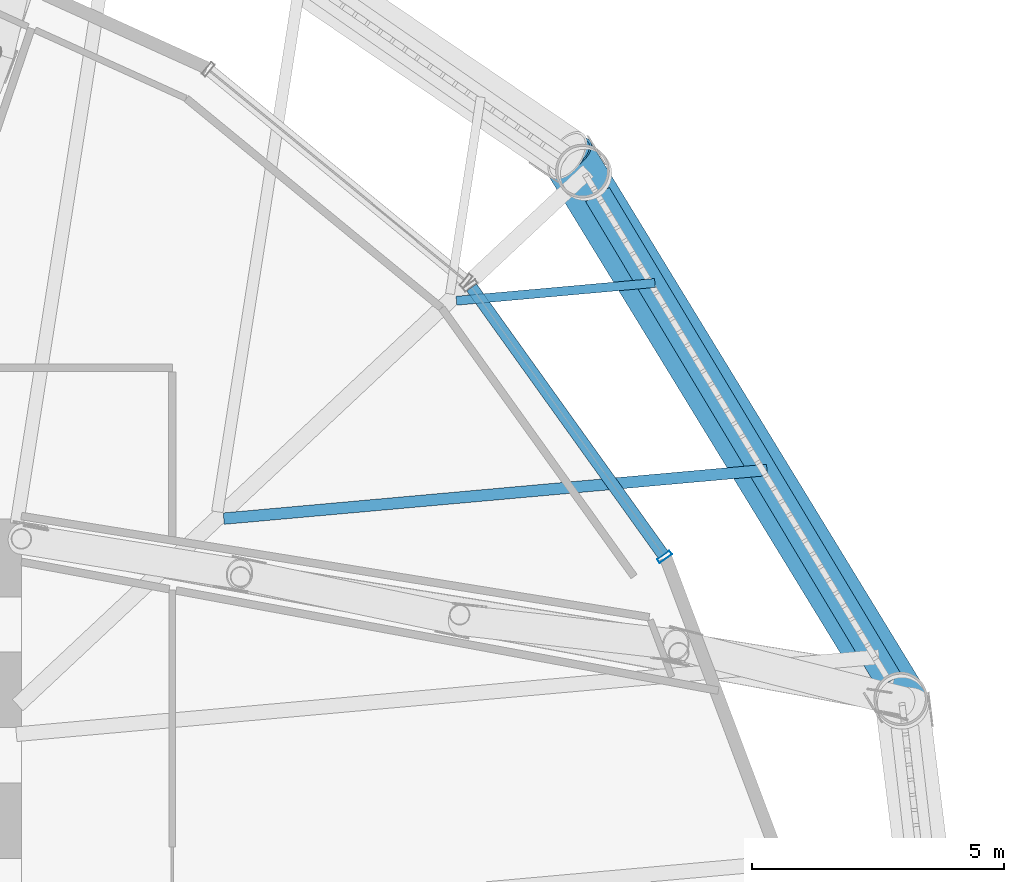
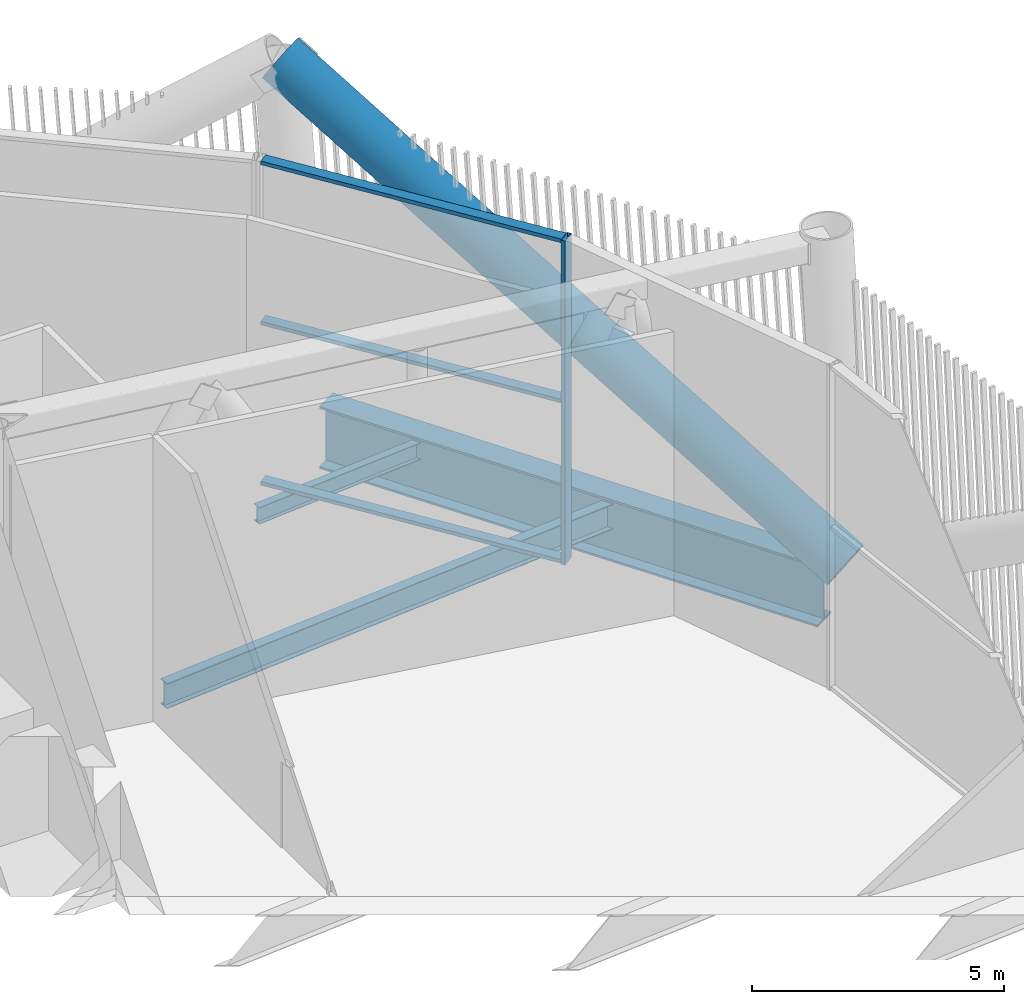
# One storey, part 27 of 55: 5 members, 3 beams, 1 element without a shape of its own.
"""IFC4 building model written with IfcOpenShell, lengths in metres."""

import ifcopenshell
import ifcopenshell.guid

model = None  # the IFC model being written
_history = None  # IfcOwnerHistory: only IFC2X3 demands one
_inside = {}  # id of a spatial element -> (the spatial element, [elements in it])
_under = {}  # id of a project, library or spatial element -> (it, [spatial elements below it])
_declared = {}  # id of a project -> (the project, [libraries it declares])
_typed = {}  # id of a type object -> (the type object, [elements of that type])
_made_of = {}  # id of a material, layer set ... -> (it, [elements and type objects made of it])


def new_model(schema):
    """Start an empty IFC model of exactly this schema.

    Asked for "IFC4X3", IfcOpenShell would pick the latest addendum, in which some entities
    have other attributes; the version numbers below select the first issue.
    IFC2X3 requires an IfcOwnerHistory on every rooted entity: one is made here for all.
    """
    global model, _history
    if schema == "IFC4X3":
        model = ifcopenshell.file(schema_version=(4, 3, 0, 0))
    else:
        model = ifcopenshell.file(schema=schema)
    _inside.clear()
    _under.clear()
    _declared.clear()
    _typed.clear()
    _made_of.clear()
    _history = None
    if model.schema == "IFC2X3":
        org = make("IfcOrganization", Name="unknown")
        user = make(
            "IfcPersonAndOrganization",
            ThePerson=make("IfcPerson", FamilyName="unknown"),
            TheOrganization=org,
        )
        app = make(
            "IfcApplication",
            ApplicationDeveloper=org,
            Version="unknown",
            ApplicationFullName="unknown",
            ApplicationIdentifier="unknown",
        )
        _history = make(
            "IfcOwnerHistory",
            OwningUser=user,
            OwningApplication=app,
            ChangeAction="ADDED",
            CreationDate=0,
        )
    return model


def make(cls, **values):
    """One entity of the class cls with the attributes given. An attribute that is None is left unset."""
    return model.create_entity(
        cls, **{name: value for name, value in values.items() if value is not None}
    )


def rooted(cls, **values):
    """An entity with a GlobalId (a new one), such as an element, a storey or a relation."""
    return make(cls, GlobalId=ifcopenshell.guid.new(), OwnerHistory=_history, **values)


def si_unit(unit_type, name, prefix=None):
    """IfcSIUnit, for example si_unit("LENGTHUNIT", "METRE", prefix="MILLI")."""
    return make("IfcSIUnit", UnitType=unit_type, Prefix=prefix, Name=name)


def assignment(units):
    """IfcUnitAssignment: the units of a project."""
    return None if units is None else make("IfcUnitAssignment", Units=units)


def point(xyz):
    """IfcCartesianPoint."""
    return None if xyz is None else make("IfcCartesianPoint", Coordinates=xyz)


def direction(xyz):
    """IfcDirection."""
    return None if xyz is None else make("IfcDirection", DirectionRatios=xyz)


def frame(location, z_axis=None, x_axis=None):
    """IfcAxis2Placement3D, a coordinate frame: its origin and axes. An axis left out is left unset."""
    return make(
        "IfcAxis2Placement3D",
        Location=point(location),
        Axis=direction(z_axis),
        RefDirection=direction(x_axis),
    )


def frame_2d(location, x_axis=None):
    """IfcAxis2Placement2D, a coordinate frame in the plane: its origin and x axis."""
    return make(
        "IfcAxis2Placement2D", Location=point(location), RefDirection=direction(x_axis)
    )


def origin():
    """The frame at (0, 0, 0) with its axes left unset."""
    return frame((0.0, 0.0, 0.0))


def origin_2d():
    """The frame at (0, 0) in the plane with its x axis left unset."""
    return frame_2d((0.0, 0.0))


def place(relative_to, where):
    """IfcLocalPlacement: puts the frame where relative to a parent placement (None: the world)."""
    return make(
        "IfcLocalPlacement", PlacementRelTo=relative_to, RelativePlacement=where
    )


def context(
    kind, dimensions, precision=None, world=None, true_north=None, identifier=None
):
    """IfcGeometricRepresentationContext, for example the 3D "Model" context."""
    return make(
        "IfcGeometricRepresentationContext",
        ContextIdentifier=identifier,
        ContextType=kind,
        CoordinateSpaceDimension=dimensions,
        Precision=precision,
        WorldCoordinateSystem=world,
        TrueNorth=true_north,
    )


def subcontext(parent, identifier, kind, view, scale=None):
    """IfcGeometricRepresentationSubContext, for example "Body" below "Model"."""
    return make(
        "IfcGeometricRepresentationSubContext",
        ContextIdentifier=identifier,
        ContextType=kind,
        ParentContext=parent,
        TargetScale=scale,
        TargetView=view,
    )


def project(units=None, contexts=None):
    """IfcProject with its units and contexts."""
    return rooted(
        "IfcProject",
        Name="project",
        RepresentationContexts=contexts,
        UnitsInContext=assignment(units),
    )


def spatial(cls, under=None, at=None, **own):
    """A site, building, storey or space (cls), placed at a placement, below another one or the project."""
    s = rooted(cls, ObjectPlacement=at, **own)
    if under is not None:
        _under.setdefault(under.id(), (under, []))[1].append(s)
    return s


def profile(cls, at=None, kind="AREA", **sizes):
    """A parametric profile (cls). Its sizes go by their IFC names, for example OverallWidth=200.0."""
    return make(cls, ProfileType=kind, Position=at, **sizes)


def hollow_rectangle(**sizes):
    """IfcRectangleHollowProfileDef."""
    return profile("IfcRectangleHollowProfileDef", **sizes)


def hollow_circle(**sizes):
    """IfcCircleHollowProfileDef."""
    return profile("IfcCircleHollowProfileDef", **sizes)


def i_section(**sizes):
    """IfcIShapeProfileDef."""
    return profile("IfcIShapeProfileDef", **sizes)


def extrude(swept, where, along, depth):
    """IfcExtrudedAreaSolid: the profile swept, set in the frame where, extruded along a direction by depth."""
    return make(
        "IfcExtrudedAreaSolid",
        SweptArea=swept,
        Position=where,
        ExtrudedDirection=direction(along),
        Depth=depth,
    )


def shape(context_of_items, identifier, shape_type, items):
    """IfcShapeRepresentation: the items that make up one representation, for example the "Body"."""
    return make(
        "IfcShapeRepresentation",
        ContextOfItems=context_of_items,
        RepresentationIdentifier=identifier,
        RepresentationType=shape_type,
        Items=items,
    )


def material(Name=None, Category=None):
    """IfcMaterial."""
    return make("IfcMaterial", Name=Name, Category=Category)


def layer(
    of_material, thickness, ventilated=None, Name=None, Category=None, Priority=None
):
    """IfcMaterialLayer: one layer of a wall or slab, of a material (None: an air gap)."""
    return make(
        "IfcMaterialLayer",
        Material=of_material,
        LayerThickness=thickness,
        IsVentilated=ventilated,
        Name=Name,
        Category=Category,
        Priority=Priority,
    )


def layer_set(layers, Name=None):
    """IfcMaterialLayerSet."""
    return make("IfcMaterialLayerSet", MaterialLayers=layers, LayerSetName=Name)


def material_profile(
    of_material, cross_section, Name=None, Category=None, Priority=None
):
    """IfcMaterialProfile: a cross section and its material."""
    return make(
        "IfcMaterialProfile",
        Name=Name,
        Material=of_material,
        Profile=cross_section,
        Priority=Priority,
        Category=Category,
    )


def profile_set(profiles, Name=None, composite=None):
    """IfcMaterialProfileSet."""
    return make(
        "IfcMaterialProfileSet",
        Name=Name,
        MaterialProfiles=profiles,
        CompositeProfile=composite,
    )


def made_of(thing, what):
    """Note that an element or type object is made of a material, layer set ...; save() writes the relation."""
    if what is not None:
        _made_of.setdefault(what.id(), (what, []))[1].append(thing)
    return thing


def type_object(cls, material=None, **own):
    """A type object (cls), such as IfcWallType, which elements share."""
    return made_of(rooted(cls, **own), material)


def element(
    cls,
    number,
    at=None,
    inside=None,
    cuts=None,
    type_object=None,
    material=None,
    context=None,
    identifier="Body",
    shape_type=None,
    held_by="IfcProductDefinitionShape",
    body=None,
    shapes=None,
    **own,
):
    """One element of the class cls, such as IfcWall. Its Tag is "e" and its number.

    at: its placement. inside: the storey or other place that contains it. cuts: it is an
    opening in that element (IfcRelVoidsElement). A single representation is given by context,
    identifier, shape_type and body (its items); several are given by shapes. held_by: the class
    of the entity that holds the representations. save() writes the other relations.
    """
    e = rooted(cls, Tag="e%d" % number, ObjectPlacement=at, **own)
    if body is not None:
        shapes = [shape(context, identifier, shape_type, body)]
    if shapes is not None:
        e.Representation = make(held_by, Representations=shapes)
    if inside is not None:
        _inside.setdefault(inside.id(), (inside, []))[1].append(e)
    if cuts is not None:
        rooted(
            "IfcRelVoidsElement", RelatingBuildingElement=cuts, RelatedOpeningElement=e
        )
    if type_object is not None:
        _typed.setdefault(type_object.id(), (type_object, []))[1].append(e)
    return made_of(e, material)


def aggregate(whole, parts):
    """IfcRelAggregates: a whole, such as a stair, and the parts it consists of."""
    return rooted("IfcRelAggregates", RelatingObject=whole, RelatedObjects=parts)


def save(model, path):
    """Write the relations noted so far, then the file.

    IfcRelAggregates (storeys below a building ...), IfcRelContainedInSpatialStructure (elements
    in a storey), IfcRelDefinesByType, IfcRelAssociatesMaterial and IfcRelDeclares: one each for
    every whole, place, type object, material and project.
    """
    for whole, parts in _under.values():
        aggregate(whole, parts)
    for where, things in _inside.values():
        rooted(
            "IfcRelContainedInSpatialStructure",
            RelatedElements=things,
            RelatingStructure=where,
        )
    for kind, things in _typed.values():
        rooted("IfcRelDefinesByType", RelatedObjects=things, RelatingType=kind)
    for what, things in _made_of.values():
        rooted("IfcRelAssociatesMaterial", RelatedObjects=things, RelatingMaterial=what)
    for by, libraries in _declared.values():
        rooted("IfcRelDeclares", RelatingContext=by, RelatedDefinitions=libraries)
    model.write(path)


model = new_model("IFC4")

# Units and contexts
model_context = context("Model", 3, precision=1e-05, world=origin(), true_north=direction((0.0, 1.0)))
body_context = subcontext(model_context, "Body", "Model", "MODEL_VIEW")
ifc_project = project(units=[si_unit("LENGTHUNIT", "METRE"), si_unit("AREAUNIT", "SQUARE_METRE"), si_unit("VOLUMEUNIT", "CUBIC_METRE"), si_unit("PLANEANGLEUNIT", "RADIAN"), si_unit("MASSUNIT", "GRAM", prefix="KILO")], contexts=[model_context])

# Site, building, storey
site_placement = place(None, origin())
site = spatial("IfcSite", under=ifc_project, at=site_placement, CompositionType="ELEMENT")
building_placement = place(site_placement, origin())
building = spatial("IfcBuilding", under=site, at=building_placement, Name="Tarsis Ring Headquarters", CompositionType="ELEMENT")
storey_placement = place(building_placement, frame((0.0, 0.0, 247.199951171875)))
storey = spatial("IfcBuildingStorey", under=building, at=storey_placement, Name="L58", CompositionType="ELEMENT", Elevation=247.199951171875)

# Curtain wall, members
ifc_material_1 = material(Name="Aluminium curtain wall", Category="aluminium")
ifc_layer = layer(ifc_material_1, 0.300048828125)
ifc_layer_set = layer_set([ifc_layer], Name="Curtain wall upper sky lobby")
curtain_wall_type = type_object("IfcCurtainWallType", Name="Curtain wall upper sky lobby", PredefinedType="NOTDEFINED", material=ifc_layer_set)
curtain_wall_placement = place(storey_placement, origin())
curtain_wall = element("IfcCurtainWall", 1, at=curtain_wall_placement, inside=storey, type_object=curtain_wall_type, Name="Curtain wall L58-23", PredefinedType="NOTDEFINED")
ifc_material_2 = material(Name="Aluminium mullion", Category="aluminium")
ifc_material_profile_1 = material_profile(ifc_material_2, hollow_rectangle(XDim=0.300048828125, YDim=0.090087890625, WallThickness=0.0048828125, at=origin_2d()), Name="RHS 300x90x5")
ifc_profile_set_1 = profile_set([ifc_material_profile_1], Name="Aluminium mullion")
member_type_1 = type_object("IfcMemberType", Name="Curtain wall mullion upper sky lobby RHS 300x90x5", PredefinedType="MULLION", material=ifc_profile_set_1)
member_1_placement = place(storey_placement, frame((22.783935546875, 12.244873046875, 0.0), z_axis=(0.0, 0.0, 1.0), x_axis=(-0.812897588573, -0.582406653888, 0.0)))
member_1 = element("IfcMember", 2, at=member_1_placement, type_object=member_type_1, Name="CW-U mullion 1", PredefinedType="MULLION", context=body_context, shape_type="SweptSolid", body=[
    extrude(hollow_rectangle(XDim=0.300048828125, YDim=0.090087890625, WallThickness=0.0048828125, at=origin_2d()), origin(), (0.0, 0.0, 1.0), 7.840087890625),
])
ifc_material_3 = material(Name="Aluminium transom", Category="aluminium")
ifc_material_profile_2 = material_profile(ifc_material_3, hollow_rectangle(XDim=0.239990234375, YDim=0.090087890625, WallThickness=0.0048828125, at=origin_2d()), Name="RHS 240x90x5")
ifc_profile_set_2 = profile_set([ifc_material_profile_2], Name="Aluminium transom")
member_type_2 = type_object("IfcMemberType", Name="Curtain wall transom upper sky lobby RHS 240x90x5", PredefinedType="USERDEFINED", material=ifc_profile_set_2)
member_2_placement = place(storey_placement, frame((22.7578125, 12.281494140625, 0.045166015625), z_axis=(-0.582402635272, 0.812900467726, 0.0), x_axis=(-0.812900467726, -0.582402635272, 0.0)))
member_2 = element("IfcMember", 3, at=member_2_placement, type_object=member_type_2, Name="CW-U transom 1.1", ObjectType="TRANSOM", PredefinedType="USERDEFINED", context=body_context, shape_type="SweptSolid", body=[
    extrude(hollow_rectangle(XDim=0.239990234375, YDim=0.090087890625, WallThickness=0.0048828125, at=origin_2d()), origin(), (0.0, 0.0, 1.0), 6.54150390625),
])
member_3_placement = place(storey_placement, frame((22.7578125, 12.281494140625, 3.920166015625), z_axis=(-0.582402635272, 0.812900467726, 0.0), x_axis=(-0.812900467726, -0.582402635272, 0.0)))
member_3 = element("IfcMember", 4, at=member_3_placement, type_object=member_type_2, Name="CW-U transom 1.2", ObjectType="TRANSOM", PredefinedType="USERDEFINED", context=body_context, shape_type="SweptSolid", body=[
    extrude(hollow_rectangle(XDim=0.239990234375, YDim=0.090087890625, WallThickness=0.0048828125, at=origin_2d()), origin(), (0.0, 0.0, 1.0), 6.54150390625),
])
member_4_placement = place(storey_placement, frame((22.7578125, 12.281494140625, 7.795166015625), z_axis=(-0.582402635272, 0.812900467726, 0.0), x_axis=(-0.812900467726, -0.582402635272, 0.0)))
member_4 = element("IfcMember", 5, at=member_4_placement, type_object=member_type_2, Name="CW-U transom 1.3", ObjectType="TRANSOM", PredefinedType="USERDEFINED", context=body_context, shape_type="SweptSolid", body=[
    extrude(hollow_rectangle(XDim=0.239990234375, YDim=0.090087890625, WallThickness=0.0048828125, at=origin_2d()), origin(), (0.0, 0.0, 1.0), 6.54150390625),
])
aggregate(curtain_wall, [member_1, member_2, member_3, member_4])

# Beams
ifc_material_4 = material(Name="Structural steel S355", Category="steel")
ifc_material_profile_3 = material_profile(ifc_material_4, i_section(OverallWidth=0.177734375, OverallDepth=0.406494140625, WebThickness=0.0078125, FlangeThickness=0.0126953125, at=origin_2d()), Name="W16x40")
ifc_profile_set_3 = profile_set([ifc_material_profile_3], Name="Structural steel S355")
beam_type_1 = type_object("IfcBeamType", Name="FB Floor beam W16x40", PredefinedType="JOIST", material=ifc_profile_set_3)
beam_1_placement = place(storey_placement, frame((18.646240234375, 17.333251953125, -0.503173828125), z_axis=(0.996009087104, 0.089251881807, 0.0), x_axis=(-0.089251881807, 0.996009087104, 0.0)))
element("IfcBeam", 6, at=beam_1_placement, inside=storey, type_object=beam_type_1, Name="Floor beam FB1", PredefinedType="JOIST", context=body_context, shape_type="SweptSolid", body=[
    extrude(i_section(OverallWidth=0.177734375, OverallDepth=0.406494140625, WebThickness=0.0078125, FlangeThickness=0.0126953125, at=origin_2d()), origin(), (0.0, 0.0, 1.0), 3.9609375),
])
ifc_material_profile_4 = material_profile(ifc_material_4, i_section(OverallWidth=0.228271484375, OverallDepth=0.607177734375, WebThickness=0.01123046875, FlangeThickness=0.017333984375, at=origin_2d()), Name="W24x76")
ifc_profile_set_4 = profile_set([ifc_material_profile_4], Name="Structural steel S355")
beam_type_2 = type_object("IfcBeamType", Name="FB Floor beam W24x76", PredefinedType="JOIST", material=ifc_profile_set_4)
beam_2_placement = place(storey_placement, frame((14.0224609375, 13.003173828125, -0.603515625), z_axis=(0.996008868418, 0.089254322213, 0.0), x_axis=(-0.089254322213, 0.996008868418, 0.0)))
element("IfcBeam", 7, at=beam_2_placement, inside=storey, type_object=beam_type_2, Name="Floor beam FB4", PredefinedType="JOIST", context=body_context, shape_type="SweptSolid", body=[
    extrude(i_section(OverallWidth=0.228271484375, OverallDepth=0.607177734375, WebThickness=0.01123046875, FlangeThickness=0.017333984375, at=origin_2d()), origin(), (0.0, 0.0, 1.0), 10.840087890625),
])

# Member
ifc_material_profile_5 = material_profile(ifc_material_4, hollow_circle(Radius=0.533447265625, WallThickness=0.044921875, at=origin_2d()), Name="CHS 1067x45")
ifc_profile_set_5 = profile_set([ifc_material_profile_5], Name="Structural steel S355")
member_type_3 = type_object("IfcMemberType", Name="TD Belt truss diagonal CHS 1067x45", PredefinedType="BRACE", material=ifc_profile_set_5)
member_5_placement = place(storey_placement, frame((27.50244140625, 9.3505859375, 0.0), z_axis=(-0.441884382431, 0.722536294119, 0.531676119685), x_axis=(-0.853106095164, -0.521737472675, 0.0)))
element("IfcMember", 8, at=member_5_placement, inside=storey, type_object=member_type_3, Name="Belt truss diagonal TD5", PredefinedType="BRACE", context=body_context, shape_type="SweptSolid", body=[
    extrude(hollow_circle(Radius=0.533447265625, WallThickness=0.044921875, at=origin_2d()), origin(), (0.0, 0.0, 1.0), 15.046875),
])

# Beam
ifc_material_profile_6 = material_profile(ifc_material_4, i_section(OverallWidth=0.550048828125, OverallDepth=1.5, WebThickness=0.030029296875, FlangeThickness=0.050048828125, at=origin_2d()), Name="PG 1500x550x30x50")
ifc_profile_set_6 = profile_set([ifc_material_profile_6], Name="Structural steel S355")
beam_type_3 = type_object("IfcBeamType", Name="XG Ring girder PG 1500x550x30x50", PredefinedType="BEAM", material=ifc_profile_set_6)
beam_3_placement = place(storey_placement, frame((27.255615234375, 9.76220703125, -0.75), z_axis=(-0.51426356656, 0.857632196287, 0.0), x_axis=(-0.857632196287, -0.51426356656, 0.0)))
element("IfcBeam", 9, at=beam_3_placement, inside=storey, type_object=beam_type_3, Name="Ring girder XG6", PredefinedType="BEAM", context=body_context, shape_type="SweptSolid", body=[
    extrude(i_section(OverallWidth=0.550048828125, OverallDepth=1.5, WebThickness=0.030029296875, FlangeThickness=0.050048828125, at=origin_2d()), origin(), (0.0, 0.0, 1.0), 11.288818359375),
])

save(model, "model.ifc")
